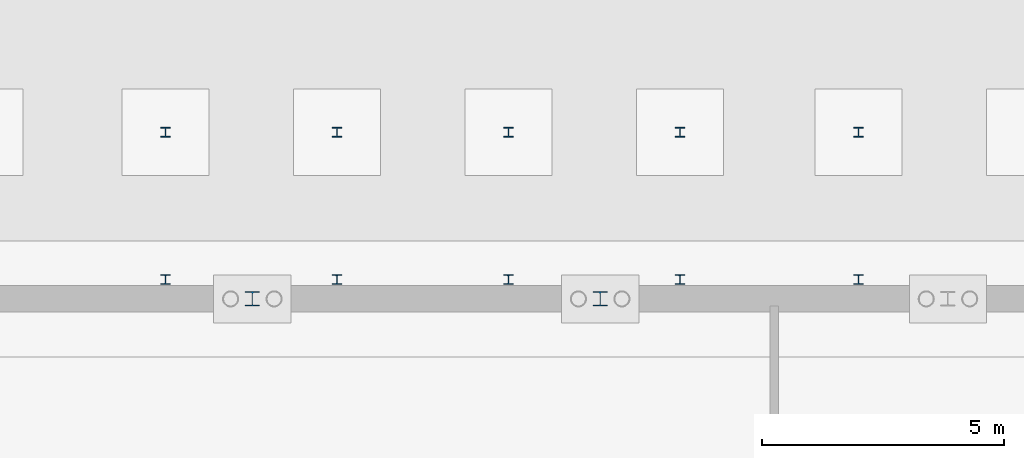
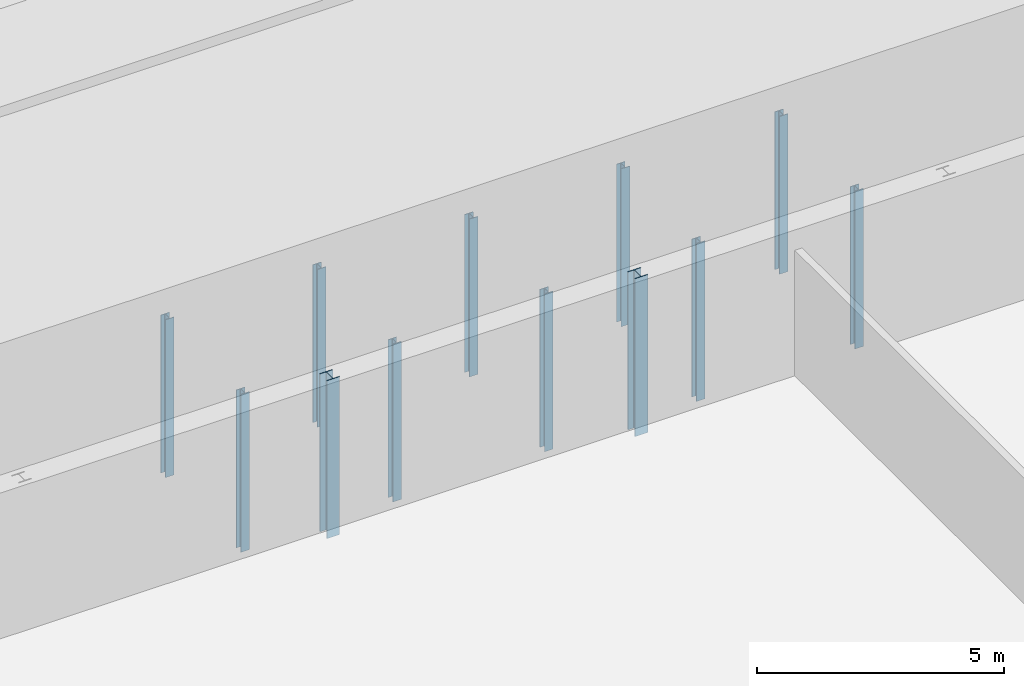
# One storey, part 67 of 148: 12 columns.
"""IFC4 building model written with IfcOpenShell, lengths in metres."""

import ifcopenshell
import ifcopenshell.guid

model = None  # the IFC model being written
_history = None  # IfcOwnerHistory: only IFC2X3 demands one
_inside = {}  # id of a spatial element -> (the spatial element, [elements in it])
_under = {}  # id of a project, library or spatial element -> (it, [spatial elements below it])
_declared = {}  # id of a project -> (the project, [libraries it declares])
_typed = {}  # id of a type object -> (the type object, [elements of that type])
_made_of = {}  # id of a material, layer set ... -> (it, [elements and type objects made of it])


def new_model(schema):
    """Start an empty IFC model of exactly this schema.

    Asked for "IFC4X3", IfcOpenShell would pick the latest addendum, in which some entities
    have other attributes; the version numbers below select the first issue.
    IFC2X3 requires an IfcOwnerHistory on every rooted entity: one is made here for all.
    """
    global model, _history
    if schema == "IFC4X3":
        model = ifcopenshell.file(schema_version=(4, 3, 0, 0))
    else:
        model = ifcopenshell.file(schema=schema)
    _inside.clear()
    _under.clear()
    _declared.clear()
    _typed.clear()
    _made_of.clear()
    _history = None
    if model.schema == "IFC2X3":
        org = make("IfcOrganization", Name="unknown")
        user = make(
            "IfcPersonAndOrganization",
            ThePerson=make("IfcPerson", FamilyName="unknown"),
            TheOrganization=org,
        )
        app = make(
            "IfcApplication",
            ApplicationDeveloper=org,
            Version="unknown",
            ApplicationFullName="unknown",
            ApplicationIdentifier="unknown",
        )
        _history = make(
            "IfcOwnerHistory",
            OwningUser=user,
            OwningApplication=app,
            ChangeAction="ADDED",
            CreationDate=0,
        )
    return model


def make(cls, **values):
    """One entity of the class cls with the attributes given. An attribute that is None is left unset."""
    return model.create_entity(
        cls, **{name: value for name, value in values.items() if value is not None}
    )


def rooted(cls, **values):
    """An entity with a GlobalId (a new one), such as an element, a storey or a relation."""
    return make(cls, GlobalId=ifcopenshell.guid.new(), OwnerHistory=_history, **values)


def si_unit(unit_type, name, prefix=None):
    """IfcSIUnit, for example si_unit("LENGTHUNIT", "METRE", prefix="MILLI")."""
    return make("IfcSIUnit", UnitType=unit_type, Prefix=prefix, Name=name)


def assignment(units):
    """IfcUnitAssignment: the units of a project."""
    return None if units is None else make("IfcUnitAssignment", Units=units)


def point(xyz):
    """IfcCartesianPoint."""
    return None if xyz is None else make("IfcCartesianPoint", Coordinates=xyz)


def direction(xyz):
    """IfcDirection."""
    return None if xyz is None else make("IfcDirection", DirectionRatios=xyz)


def frame(location, z_axis=None, x_axis=None):
    """IfcAxis2Placement3D, a coordinate frame: its origin and axes. An axis left out is left unset."""
    return make(
        "IfcAxis2Placement3D",
        Location=point(location),
        Axis=direction(z_axis),
        RefDirection=direction(x_axis),
    )


def frame_2d(location, x_axis=None):
    """IfcAxis2Placement2D, a coordinate frame in the plane: its origin and x axis."""
    return make(
        "IfcAxis2Placement2D", Location=point(location), RefDirection=direction(x_axis)
    )


def origin():
    """The frame at (0, 0, 0) with its axes left unset."""
    return frame((0.0, 0.0, 0.0))


def origin_2d():
    """The frame at (0, 0) in the plane with its x axis left unset."""
    return frame_2d((0.0, 0.0))


def place(relative_to, where):
    """IfcLocalPlacement: puts the frame where relative to a parent placement (None: the world)."""
    return make(
        "IfcLocalPlacement", PlacementRelTo=relative_to, RelativePlacement=where
    )


def context(
    kind, dimensions, precision=None, world=None, true_north=None, identifier=None
):
    """IfcGeometricRepresentationContext, for example the 3D "Model" context."""
    return make(
        "IfcGeometricRepresentationContext",
        ContextIdentifier=identifier,
        ContextType=kind,
        CoordinateSpaceDimension=dimensions,
        Precision=precision,
        WorldCoordinateSystem=world,
        TrueNorth=true_north,
    )


def subcontext(parent, identifier, kind, view, scale=None):
    """IfcGeometricRepresentationSubContext, for example "Body" below "Model"."""
    return make(
        "IfcGeometricRepresentationSubContext",
        ContextIdentifier=identifier,
        ContextType=kind,
        ParentContext=parent,
        TargetScale=scale,
        TargetView=view,
    )


def project(units=None, contexts=None):
    """IfcProject with its units and contexts."""
    return rooted(
        "IfcProject",
        Name="project",
        RepresentationContexts=contexts,
        UnitsInContext=assignment(units),
    )


def spatial(cls, under=None, at=None, **own):
    """A site, building, storey or space (cls), placed at a placement, below another one or the project."""
    s = rooted(cls, ObjectPlacement=at, **own)
    if under is not None:
        _under.setdefault(under.id(), (under, []))[1].append(s)
    return s


def profile(cls, at=None, kind="AREA", **sizes):
    """A parametric profile (cls). Its sizes go by their IFC names, for example OverallWidth=200.0."""
    return make(cls, ProfileType=kind, Position=at, **sizes)


def i_section(**sizes):
    """IfcIShapeProfileDef."""
    return profile("IfcIShapeProfileDef", **sizes)


def extrude(swept, where, along, depth):
    """IfcExtrudedAreaSolid: the profile swept, set in the frame where, extruded along a direction by depth."""
    return make(
        "IfcExtrudedAreaSolid",
        SweptArea=swept,
        Position=where,
        ExtrudedDirection=direction(along),
        Depth=depth,
    )


def shape(context_of_items, identifier, shape_type, items):
    """IfcShapeRepresentation: the items that make up one representation, for example the "Body"."""
    return make(
        "IfcShapeRepresentation",
        ContextOfItems=context_of_items,
        RepresentationIdentifier=identifier,
        RepresentationType=shape_type,
        Items=items,
    )


def material(Name=None, Category=None):
    """IfcMaterial."""
    return make("IfcMaterial", Name=Name, Category=Category)


def material_profile(
    of_material, cross_section, Name=None, Category=None, Priority=None
):
    """IfcMaterialProfile: a cross section and its material."""
    return make(
        "IfcMaterialProfile",
        Name=Name,
        Material=of_material,
        Profile=cross_section,
        Priority=Priority,
        Category=Category,
    )


def profile_set(profiles, Name=None, composite=None):
    """IfcMaterialProfileSet."""
    return make(
        "IfcMaterialProfileSet",
        Name=Name,
        MaterialProfiles=profiles,
        CompositeProfile=composite,
    )


def made_of(thing, what):
    """Note that an element or type object is made of a material, layer set ...; save() writes the relation."""
    if what is not None:
        _made_of.setdefault(what.id(), (what, []))[1].append(thing)
    return thing


def type_object(cls, material=None, **own):
    """A type object (cls), such as IfcWallType, which elements share."""
    return made_of(rooted(cls, **own), material)


def element(
    cls,
    number,
    at=None,
    inside=None,
    cuts=None,
    type_object=None,
    material=None,
    context=None,
    identifier="Body",
    shape_type=None,
    held_by="IfcProductDefinitionShape",
    body=None,
    shapes=None,
    **own,
):
    """One element of the class cls, such as IfcWall. Its Tag is "e" and its number.

    at: its placement. inside: the storey or other place that contains it. cuts: it is an
    opening in that element (IfcRelVoidsElement). A single representation is given by context,
    identifier, shape_type and body (its items); several are given by shapes. held_by: the class
    of the entity that holds the representations. save() writes the other relations.
    """
    e = rooted(cls, Tag="e%d" % number, ObjectPlacement=at, **own)
    if body is not None:
        shapes = [shape(context, identifier, shape_type, body)]
    if shapes is not None:
        e.Representation = make(held_by, Representations=shapes)
    if inside is not None:
        _inside.setdefault(inside.id(), (inside, []))[1].append(e)
    if cuts is not None:
        rooted(
            "IfcRelVoidsElement", RelatingBuildingElement=cuts, RelatedOpeningElement=e
        )
    if type_object is not None:
        _typed.setdefault(type_object.id(), (type_object, []))[1].append(e)
    return made_of(e, material)


def aggregate(whole, parts):
    """IfcRelAggregates: a whole, such as a stair, and the parts it consists of."""
    return rooted("IfcRelAggregates", RelatingObject=whole, RelatedObjects=parts)


def save(model, path):
    """Write the relations noted so far, then the file.

    IfcRelAggregates (storeys below a building ...), IfcRelContainedInSpatialStructure (elements
    in a storey), IfcRelDefinesByType, IfcRelAssociatesMaterial and IfcRelDeclares: one each for
    every whole, place, type object, material and project.
    """
    for whole, parts in _under.values():
        aggregate(whole, parts)
    for where, things in _inside.values():
        rooted(
            "IfcRelContainedInSpatialStructure",
            RelatedElements=things,
            RelatingStructure=where,
        )
    for kind, things in _typed.values():
        rooted("IfcRelDefinesByType", RelatedObjects=things, RelatingType=kind)
    for what, things in _made_of.values():
        rooted("IfcRelAssociatesMaterial", RelatedObjects=things, RelatingMaterial=what)
    for by, libraries in _declared.values():
        rooted("IfcRelDeclares", RelatingContext=by, RelatedDefinitions=libraries)
    model.write(path)


model = new_model("IFC4")

# Units and contexts
model_context = context("Model", 3, precision=1e-05, world=origin(), true_north=direction((0.0, 1.0)))
body_context = subcontext(model_context, "Body", "Model", "MODEL_VIEW")
ifc_project = project(units=[si_unit("LENGTHUNIT", "METRE"), si_unit("AREAUNIT", "SQUARE_METRE"), si_unit("VOLUMEUNIT", "CUBIC_METRE"), si_unit("PLANEANGLEUNIT", "RADIAN"), si_unit("MASSUNIT", "GRAM", prefix="KILO")], contexts=[model_context])

# Site, building, storey
site_placement = place(None, origin())
site = spatial("IfcSite", under=ifc_project, at=site_placement, CompositionType="ELEMENT")
building_placement = place(site_placement, origin())
building = spatial("IfcBuilding", under=site, at=building_placement, Name="Kupolbacken Congress Centre", CompositionType="ELEMENT")
storey_placement = place(building_placement, origin())
storey = spatial("IfcBuildingStorey", under=building, at=storey_placement, Name="L00", CompositionType="ELEMENT", Elevation=0.0)

# Columns
ifc_material_1 = material(Name="Steel S355", Category="steel")
ifc_material_profile_1 = material_profile(ifc_material_1, i_section(OverallWidth=0.300048828125, OverallDepth=0.300048828125, WebThickness=0.010986328125, FlangeThickness=0.01904296875, FilletRadius=0.027099609375, at=origin_2d()), Name="HEB 300")
ifc_profile_set_1 = profile_set([ifc_material_profile_1], Name="Steel S355")
column_type_1 = type_object("IfcColumnType", Name="C06 column HEB 300", PredefinedType="COLUMN", material=ifc_profile_set_1)
for number, where, z_axis, x_axis, name in (
    (1, (172.800048828125, 151.199951171875, -0.300048828125), (0.0, 0.0, 1.0), (1.0, 0.0, 0.0), "S/col/C-B-B4N/L00"),
    (2, (180.0, 151.199951171875, -0.300048828125), (0.0, 0.0, 1.0), (1.0, 0.0, 0.0), "S/col/C-B-B5N/L00"),
):
    element("IfcColumn", number, at=place(storey_placement, frame(where, z_axis=z_axis, x_axis=x_axis)), inside=storey, type_object=column_type_1, Name=name, PredefinedType="COLUMN", context=body_context, shape_type="SweptSolid", body=[
        extrude(i_section(OverallWidth=0.300048828125, OverallDepth=0.300048828125, WebThickness=0.010986328125, FlangeThickness=0.01904296875, FilletRadius=0.027099609375, at=origin_2d()), origin(), (0.0, 0.0, 1.0), 3.900146484375),
    ])
ifc_material_2 = material(Name="Steel S355", Category="steel")
ifc_material_profile_2 = material_profile(ifc_material_2, i_section(OverallWidth=0.199951171875, OverallDepth=0.199951171875, WebThickness=0.009033203125, FlangeThickness=0.014892578125, FilletRadius=0.01806640625, at=origin_2d()), Name="HEB 200")
ifc_profile_set_2 = profile_set([ifc_material_profile_2], Name="Steel S355")
column_type_2 = type_object("IfcColumnType", Name="C11 column HEB 200", PredefinedType="COLUMN", material=ifc_profile_set_2)
for number, where, z_axis, x_axis, name in (
    (3, (171.0, 151.60009765625, -0.300048828125), (0.0, 0.0, 1.0), (1.0, 0.0, 0.0), "Covered passage column"),
    (4, (171.0, 154.64990234375, -0.300048828125), (0.0, 0.0, 1.0), (1.0, 0.0, 0.0), "Covered passage column"),
    (5, (174.550048828125, 151.60009765625, -0.300048828125), (0.0, 0.0, 1.0), (1.0, 0.0, 0.0), "Covered passage column"),
    (6, (174.550048828125, 154.64990234375, -0.300048828125), (0.0, 0.0, 1.0), (1.0, 0.0, 0.0), "Covered passage column"),
    (7, (178.10009765625, 151.60009765625, -0.300048828125), (0.0, 0.0, 1.0), (1.0, 0.0, 0.0), "Covered passage column"),
    (8, (178.10009765625, 154.64990234375, -0.300048828125), (0.0, 0.0, 1.0), (1.0, 0.0, 0.0), "Covered passage column"),
    (9, (181.64990234375, 151.60009765625, -0.300048828125), (0.0, 0.0, 1.0), (1.0, 0.0, 0.0), "Covered passage column"),
    (10, (181.64990234375, 154.64990234375, -0.300048828125), (0.0, 0.0, 1.0), (1.0, 0.0, 0.0), "Covered passage column"),
    (11, (185.35009765625, 151.60009765625, -0.300048828125), (0.0, 0.0, 1.0), (1.0, 0.0, 0.0), "Covered passage column"),
    (12, (185.35009765625, 154.64990234375, -0.300048828125), (0.0, 0.0, 1.0), (1.0, 0.0, 0.0), "Covered passage column"),
):
    element("IfcColumn", number, at=place(storey_placement, frame(where, z_axis=z_axis, x_axis=x_axis)), inside=storey, type_object=column_type_2, Name=name, PredefinedType="COLUMN", context=body_context, shape_type="SweptSolid", body=[
        extrude(i_section(OverallWidth=0.199951171875, OverallDepth=0.199951171875, WebThickness=0.009033203125, FlangeThickness=0.014892578125, FilletRadius=0.01806640625, at=origin_2d()), origin(), (0.0, 0.0, 1.0), 3.900146484375),
    ])

save(model, "model.ifc")
